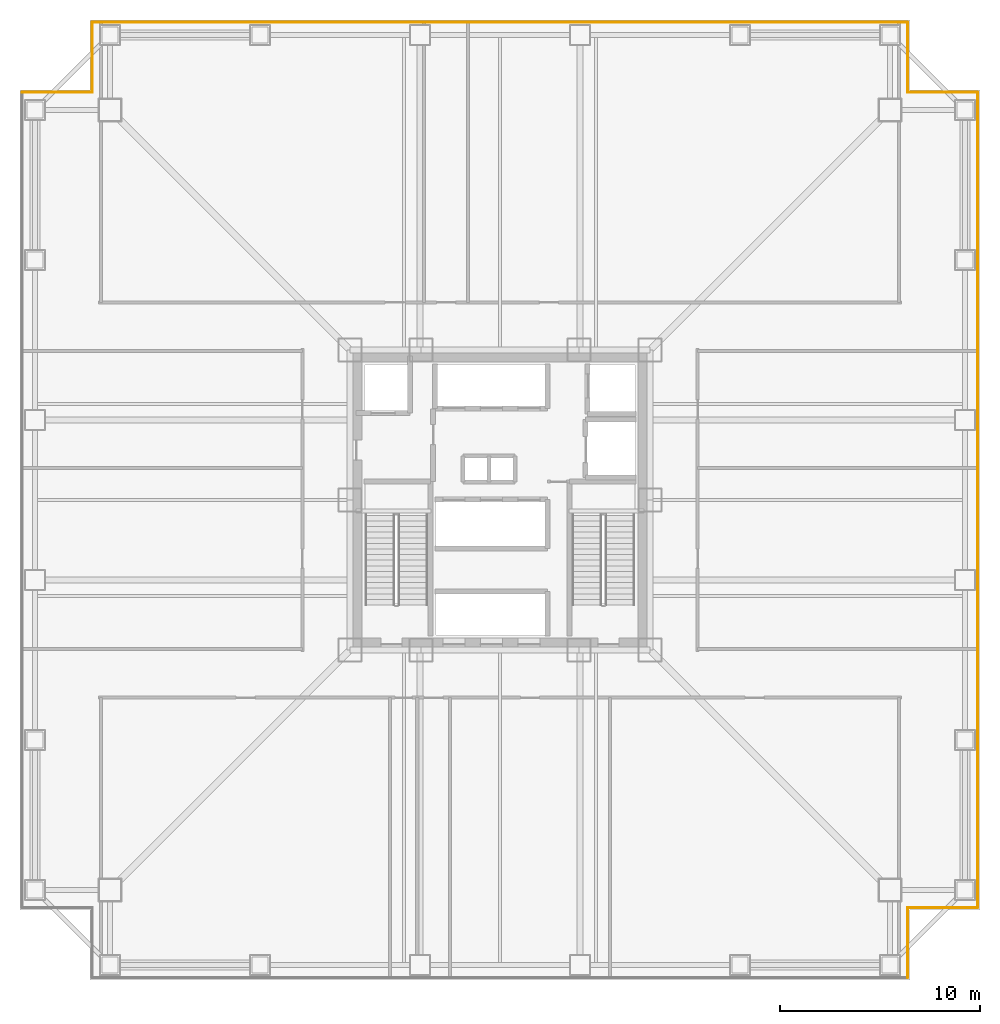
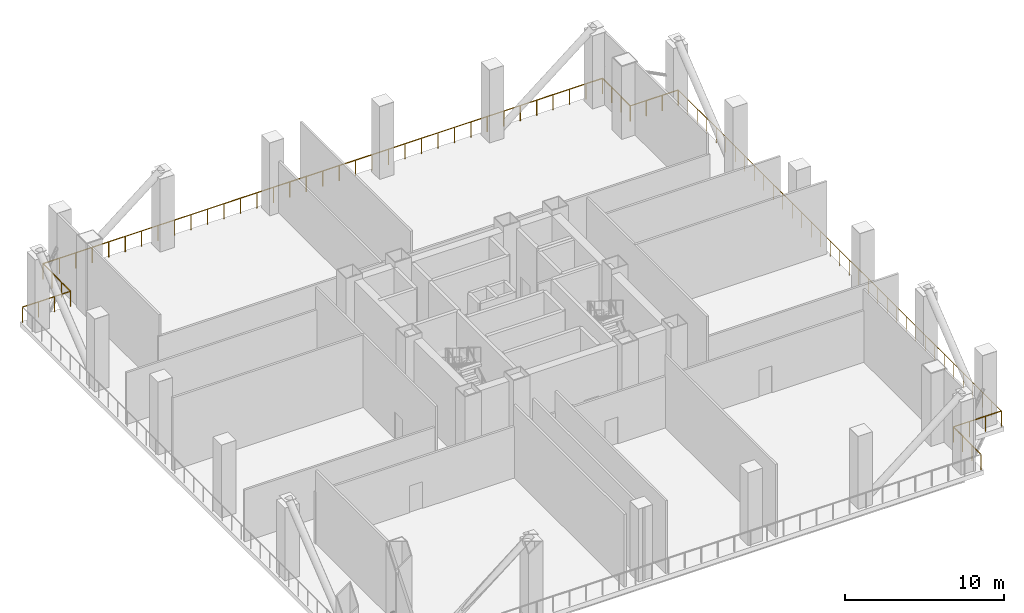
# One storey, part 7 of 7: 8 railings.
"""IFC4 building model written with IfcOpenShell, lengths in metres."""

import ifcopenshell
import ifcopenshell.guid

model = None  # the IFC model being written
_history = None  # IfcOwnerHistory: only IFC2X3 demands one
_inside = {}  # id of a spatial element -> (the spatial element, [elements in it])
_under = {}  # id of a project, library or spatial element -> (it, [spatial elements below it])
_declared = {}  # id of a project -> (the project, [libraries it declares])
_typed = {}  # id of a type object -> (the type object, [elements of that type])
_made_of = {}  # id of a material, layer set ... -> (it, [elements and type objects made of it])


def new_model(schema):
    """Start an empty IFC model of exactly this schema.

    Asked for "IFC4X3", IfcOpenShell would pick the latest addendum, in which some entities
    have other attributes; the version numbers below select the first issue.
    IFC2X3 requires an IfcOwnerHistory on every rooted entity: one is made here for all.
    """
    global model, _history
    if schema == "IFC4X3":
        model = ifcopenshell.file(schema_version=(4, 3, 0, 0))
    else:
        model = ifcopenshell.file(schema=schema)
    _inside.clear()
    _under.clear()
    _declared.clear()
    _typed.clear()
    _made_of.clear()
    _history = None
    if model.schema == "IFC2X3":
        org = make("IfcOrganization", Name="unknown")
        user = make(
            "IfcPersonAndOrganization",
            ThePerson=make("IfcPerson", FamilyName="unknown"),
            TheOrganization=org,
        )
        app = make(
            "IfcApplication",
            ApplicationDeveloper=org,
            Version="unknown",
            ApplicationFullName="unknown",
            ApplicationIdentifier="unknown",
        )
        _history = make(
            "IfcOwnerHistory",
            OwningUser=user,
            OwningApplication=app,
            ChangeAction="ADDED",
            CreationDate=0,
        )
    return model


def make(cls, **values):
    """One entity of the class cls with the attributes given. An attribute that is None is left unset."""
    return model.create_entity(
        cls, **{name: value for name, value in values.items() if value is not None}
    )


def rooted(cls, **values):
    """An entity with a GlobalId (a new one), such as an element, a storey or a relation."""
    return make(cls, GlobalId=ifcopenshell.guid.new(), OwnerHistory=_history, **values)


def si_unit(unit_type, name, prefix=None):
    """IfcSIUnit, for example si_unit("LENGTHUNIT", "METRE", prefix="MILLI")."""
    return make("IfcSIUnit", UnitType=unit_type, Prefix=prefix, Name=name)


def assignment(units):
    """IfcUnitAssignment: the units of a project."""
    return None if units is None else make("IfcUnitAssignment", Units=units)


def point(xyz):
    """IfcCartesianPoint."""
    return None if xyz is None else make("IfcCartesianPoint", Coordinates=xyz)


def direction(xyz):
    """IfcDirection."""
    return None if xyz is None else make("IfcDirection", DirectionRatios=xyz)


def frame(location, z_axis=None, x_axis=None):
    """IfcAxis2Placement3D, a coordinate frame: its origin and axes. An axis left out is left unset."""
    return make(
        "IfcAxis2Placement3D",
        Location=point(location),
        Axis=direction(z_axis),
        RefDirection=direction(x_axis),
    )


def frame_2d(location, x_axis=None):
    """IfcAxis2Placement2D, a coordinate frame in the plane: its origin and x axis."""
    return make(
        "IfcAxis2Placement2D", Location=point(location), RefDirection=direction(x_axis)
    )


def origin():
    """The frame at (0, 0, 0) with its axes left unset."""
    return frame((0.0, 0.0, 0.0))


def origin_2d():
    """The frame at (0, 0) in the plane with its x axis left unset."""
    return frame_2d((0.0, 0.0))


def place(relative_to, where):
    """IfcLocalPlacement: puts the frame where relative to a parent placement (None: the world)."""
    return make(
        "IfcLocalPlacement", PlacementRelTo=relative_to, RelativePlacement=where
    )


def context(
    kind, dimensions, precision=None, world=None, true_north=None, identifier=None
):
    """IfcGeometricRepresentationContext, for example the 3D "Model" context."""
    return make(
        "IfcGeometricRepresentationContext",
        ContextIdentifier=identifier,
        ContextType=kind,
        CoordinateSpaceDimension=dimensions,
        Precision=precision,
        WorldCoordinateSystem=world,
        TrueNorth=true_north,
    )


def subcontext(parent, identifier, kind, view, scale=None):
    """IfcGeometricRepresentationSubContext, for example "Body" below "Model"."""
    return make(
        "IfcGeometricRepresentationSubContext",
        ContextIdentifier=identifier,
        ContextType=kind,
        ParentContext=parent,
        TargetScale=scale,
        TargetView=view,
    )


def project(units=None, contexts=None):
    """IfcProject with its units and contexts."""
    return rooted(
        "IfcProject",
        Name="project",
        RepresentationContexts=contexts,
        UnitsInContext=assignment(units),
    )


def spatial(cls, under=None, at=None, **own):
    """A site, building, storey or space (cls), placed at a placement, below another one or the project."""
    s = rooted(cls, ObjectPlacement=at, **own)
    if under is not None:
        _under.setdefault(under.id(), (under, []))[1].append(s)
    return s


def profile(cls, at=None, kind="AREA", **sizes):
    """A parametric profile (cls). Its sizes go by their IFC names, for example OverallWidth=200.0."""
    return make(cls, ProfileType=kind, Position=at, **sizes)


def circle(**sizes):
    """IfcCircleProfileDef."""
    return profile("IfcCircleProfileDef", **sizes)


def extrude(swept, where, along, depth):
    """IfcExtrudedAreaSolid: the profile swept, set in the frame where, extruded along a direction by depth."""
    return make(
        "IfcExtrudedAreaSolid",
        SweptArea=swept,
        Position=where,
        ExtrudedDirection=direction(along),
        Depth=depth,
    )


def shape(context_of_items, identifier, shape_type, items):
    """IfcShapeRepresentation: the items that make up one representation, for example the "Body"."""
    return make(
        "IfcShapeRepresentation",
        ContextOfItems=context_of_items,
        RepresentationIdentifier=identifier,
        RepresentationType=shape_type,
        Items=items,
    )


def material(Name=None, Category=None):
    """IfcMaterial."""
    return make("IfcMaterial", Name=Name, Category=Category)


def made_of(thing, what):
    """Note that an element or type object is made of a material, layer set ...; save() writes the relation."""
    if what is not None:
        _made_of.setdefault(what.id(), (what, []))[1].append(thing)
    return thing


def type_object(cls, material=None, **own):
    """A type object (cls), such as IfcWallType, which elements share."""
    return made_of(rooted(cls, **own), material)


def element(
    cls,
    number,
    at=None,
    inside=None,
    cuts=None,
    type_object=None,
    material=None,
    context=None,
    identifier="Body",
    shape_type=None,
    held_by="IfcProductDefinitionShape",
    body=None,
    shapes=None,
    **own,
):
    """One element of the class cls, such as IfcWall. Its Tag is "e" and its number.

    at: its placement. inside: the storey or other place that contains it. cuts: it is an
    opening in that element (IfcRelVoidsElement). A single representation is given by context,
    identifier, shape_type and body (its items); several are given by shapes. held_by: the class
    of the entity that holds the representations. save() writes the other relations.
    """
    e = rooted(cls, Tag="e%d" % number, ObjectPlacement=at, **own)
    if body is not None:
        shapes = [shape(context, identifier, shape_type, body)]
    if shapes is not None:
        e.Representation = make(held_by, Representations=shapes)
    if inside is not None:
        _inside.setdefault(inside.id(), (inside, []))[1].append(e)
    if cuts is not None:
        rooted(
            "IfcRelVoidsElement", RelatingBuildingElement=cuts, RelatedOpeningElement=e
        )
    if type_object is not None:
        _typed.setdefault(type_object.id(), (type_object, []))[1].append(e)
    return made_of(e, material)


def aggregate(whole, parts):
    """IfcRelAggregates: a whole, such as a stair, and the parts it consists of."""
    return rooted("IfcRelAggregates", RelatingObject=whole, RelatedObjects=parts)


def save(model, path):
    """Write the relations noted so far, then the file.

    IfcRelAggregates (storeys below a building ...), IfcRelContainedInSpatialStructure (elements
    in a storey), IfcRelDefinesByType, IfcRelAssociatesMaterial and IfcRelDeclares: one each for
    every whole, place, type object, material and project.
    """
    for whole, parts in _under.values():
        aggregate(whole, parts)
    for where, things in _inside.values():
        rooted(
            "IfcRelContainedInSpatialStructure",
            RelatedElements=things,
            RelatingStructure=where,
        )
    for kind, things in _typed.values():
        rooted("IfcRelDefinesByType", RelatedObjects=things, RelatingType=kind)
    for what, things in _made_of.values():
        rooted("IfcRelAssociatesMaterial", RelatedObjects=things, RelatingMaterial=what)
    for by, libraries in _declared.values():
        rooted("IfcRelDeclares", RelatingContext=by, RelatedDefinitions=libraries)
    model.write(path)


model = new_model("IFC4")

# Units and contexts
model_context = context("Model", 3, precision=1e-05, world=origin(), true_north=direction((0.0, 1.0)))
body_context = subcontext(model_context, "Body", "Model", "MODEL_VIEW")
ifc_project = project(units=[si_unit("LENGTHUNIT", "METRE"), si_unit("AREAUNIT", "SQUARE_METRE"), si_unit("VOLUMEUNIT", "CUBIC_METRE"), si_unit("PLANEANGLEUNIT", "RADIAN"), si_unit("MASSUNIT", "GRAM", prefix="KILO")], contexts=[model_context])

# Site, building, storey
site_placement = place(None, origin())
site = spatial("IfcSite", under=ifc_project, at=site_placement, CompositionType="ELEMENT")
building_placement = place(site_placement, origin())
building = spatial("IfcBuilding", under=site, at=building_placement, Name="Trevonay Congress Spire", CompositionType="ELEMENT")
storey_placement = place(building_placement, frame((0.0, 0.0, 88.0)))
storey = spatial("IfcBuildingStorey", under=building, at=storey_placement, Name="L22", CompositionType="ELEMENT", Elevation=88.0)

# Railings
ifc_material = material(Name="Pale Anodised Aluminium EN AW-6063-T6", Category="aluminium")
railing_type = type_object("IfcRailingType", Name="RAL-WIND-GUARD-120", PredefinedType="GUARDRAIL", material=ifc_material)
railing_1_placement = place(storey_placement, frame((-23.8798828125, 20.3798828125, 0.0)))
element("IfcRailing", 1, at=railing_1_placement, inside=storey, type_object=railing_type, Name="L22 perimeter safety guard GRD-L22-WIND-4", PredefinedType="GUARDRAIL", context=body_context, shape_type="SweptSolid", body=[
    extrude(circle(Radius=0.02392578125, at=origin_2d()), frame((0.0, 0.0, 1.17578125), z_axis=(1.0, 0.0, 0.0), x_axis=(0.0, 1.0, 0.0)), (0.0, 0.0, 1.0), 3.5),
    extrude(circle(Radius=0.02099609375, at=origin_2d()), origin(), (0.0, 0.0, 1.0), 1.15185546875),
    extrude(circle(Radius=0.02099609375, at=origin_2d()), frame((1.166748046875, 0.0, 0.0)), (0.0, 0.0, 1.0), 1.15185546875),
    extrude(circle(Radius=0.02099609375, at=origin_2d()), frame((2.333251953125, 0.0, 0.0)), (0.0, 0.0, 1.0), 1.15185546875),
    extrude(circle(Radius=0.02099609375, at=origin_2d()), frame((3.5, 0.0, 0.0)), (0.0, 0.0, 1.0), 1.15185546875),
])
railing_2_placement = place(storey_placement, frame((-20.3798828125, 20.3798828125, 0.0)))
element("IfcRailing", 2, at=railing_2_placement, inside=storey, type_object=railing_type, Name="L22 perimeter safety guard GRD-L22-WIND-5", PredefinedType="GUARDRAIL", context=body_context, shape_type="SweptSolid", body=[
    extrude(circle(Radius=0.02392578125, at=origin_2d()), frame((0.0, 0.0, 1.17578125), z_axis=(0.0, 1.0, 0.0), x_axis=(-1.0, 0.0, 0.0)), (0.0, 0.0, 1.0), 3.5),
    extrude(circle(Radius=0.02099609375, at=origin_2d()), origin(), (0.0, 0.0, 1.0), 1.15185546875),
    extrude(circle(Radius=0.02099609375, at=origin_2d()), frame((0.0, 1.166748046875, 0.0)), (0.0, 0.0, 1.0), 1.15185546875),
    extrude(circle(Radius=0.02099609375, at=origin_2d()), frame((0.0, 2.333251953125, 0.0)), (0.0, 0.0, 1.0), 1.15185546875),
    extrude(circle(Radius=0.02099609375, at=origin_2d()), frame((0.0, 3.5, 0.0)), (0.0, 0.0, 1.0), 1.15185546875),
])
railing_3_placement = place(storey_placement, frame((-20.3798828125, 23.8798828125, 0.0)))
element("IfcRailing", 3, at=railing_3_placement, inside=storey, type_object=railing_type, Name="L22 perimeter safety guard GRD-L22-WIND-6", PredefinedType="GUARDRAIL", context=body_context, shape_type="SweptSolid", body=[
    extrude(circle(Radius=0.02392578125, at=origin_2d()), frame((0.0, 0.0, 1.17578125), z_axis=(1.0, 0.0, 0.0), x_axis=(0.0, 1.0, 0.0)), (0.0, 0.0, 1.0), 40.759765625),
    extrude(circle(Radius=0.02099609375, at=origin_2d()), origin(), (0.0, 0.0, 1.0), 1.15185546875),
    extrude(circle(Radius=0.02099609375, at=origin_2d()), frame((1.19873046875, 0.0, 0.0)), (0.0, 0.0, 1.0), 1.15185546875),
    extrude(circle(Radius=0.02099609375, at=origin_2d()), frame((2.397705078125, 0.0, 0.0)), (0.0, 0.0, 1.0), 1.15185546875),
    extrude(circle(Radius=0.02099609375, at=origin_2d()), frame((3.596435546875, 0.0, 0.0)), (0.0, 0.0, 1.0), 1.15185546875),
    extrude(circle(Radius=0.02099609375, at=origin_2d()), frame((4.795166015625, 0.0, 0.0)), (0.0, 0.0, 1.0), 1.15185546875),
    extrude(circle(Radius=0.02099609375, at=origin_2d()), frame((5.994140625, 0.0, 0.0)), (0.0, 0.0, 1.0), 1.15185546875),
    extrude(circle(Radius=0.02099609375, at=origin_2d()), frame((7.19287109375, 0.0, 0.0)), (0.0, 0.0, 1.0), 1.15185546875),
    extrude(circle(Radius=0.02099609375, at=origin_2d()), frame((8.3916015625, 0.0, 0.0)), (0.0, 0.0, 1.0), 1.15185546875),
    extrude(circle(Radius=0.02099609375, at=origin_2d()), frame((9.590576171875, 0.0, 0.0)), (0.0, 0.0, 1.0), 1.15185546875),
    extrude(circle(Radius=0.02099609375, at=origin_2d()), frame((10.789306640625, 0.0, 0.0)), (0.0, 0.0, 1.0), 1.15185546875),
    extrude(circle(Radius=0.02099609375, at=origin_2d()), frame((11.98828125, 0.0, 0.0)), (0.0, 0.0, 1.0), 1.15185546875),
    extrude(circle(Radius=0.02099609375, at=origin_2d()), frame((13.18701171875, 0.0, 0.0)), (0.0, 0.0, 1.0), 1.15185546875),
    extrude(circle(Radius=0.02099609375, at=origin_2d()), frame((14.3857421875, 0.0, 0.0)), (0.0, 0.0, 1.0), 1.15185546875),
    extrude(circle(Radius=0.02099609375, at=origin_2d()), frame((15.584716796875, 0.0, 0.0)), (0.0, 0.0, 1.0), 1.15185546875),
    extrude(circle(Radius=0.02099609375, at=origin_2d()), frame((16.783447265625, 0.0, 0.0)), (0.0, 0.0, 1.0), 1.15185546875),
    extrude(circle(Radius=0.02099609375, at=origin_2d()), frame((17.982177734375, 0.0, 0.0)), (0.0, 0.0, 1.0), 1.15185546875),
    extrude(circle(Radius=0.02099609375, at=origin_2d()), frame((19.18115234375, 0.0, 0.0)), (0.0, 0.0, 1.0), 1.15185546875),
    extrude(circle(Radius=0.02099609375, at=origin_2d()), frame((20.3798828125, 0.0, 0.0)), (0.0, 0.0, 1.0), 1.15185546875),
    extrude(circle(Radius=0.02099609375, at=origin_2d()), frame((21.57861328125, 0.0, 0.0)), (0.0, 0.0, 1.0), 1.15185546875),
    extrude(circle(Radius=0.02099609375, at=origin_2d()), frame((22.777587890625, 0.0, 0.0)), (0.0, 0.0, 1.0), 1.15185546875),
    extrude(circle(Radius=0.02099609375, at=origin_2d()), frame((23.976318359375, 0.0, 0.0)), (0.0, 0.0, 1.0), 1.15185546875),
    extrude(circle(Radius=0.02099609375, at=origin_2d()), frame((25.175048828125, 0.0, 0.0)), (0.0, 0.0, 1.0), 1.15185546875),
    extrude(circle(Radius=0.02099609375, at=origin_2d()), frame((26.3740234375, 0.0, 0.0)), (0.0, 0.0, 1.0), 1.15185546875),
    extrude(circle(Radius=0.02099609375, at=origin_2d()), frame((27.57275390625, 0.0, 0.0)), (0.0, 0.0, 1.0), 1.15185546875),
    extrude(circle(Radius=0.02099609375, at=origin_2d()), frame((28.771484375, 0.0, 0.0)), (0.0, 0.0, 1.0), 1.15185546875),
    extrude(circle(Radius=0.02099609375, at=origin_2d()), frame((29.970458984375, 0.0, 0.0)), (0.0, 0.0, 1.0), 1.15185546875),
    extrude(circle(Radius=0.02099609375, at=origin_2d()), frame((31.169189453125, 0.0, 0.0)), (0.0, 0.0, 1.0), 1.15185546875),
    extrude(circle(Radius=0.02099609375, at=origin_2d()), frame((32.3681640625, 0.0, 0.0)), (0.0, 0.0, 1.0), 1.15185546875),
    extrude(circle(Radius=0.02099609375, at=origin_2d()), frame((33.56689453125, 0.0, 0.0)), (0.0, 0.0, 1.0), 1.15185546875),
    extrude(circle(Radius=0.02099609375, at=origin_2d()), frame((34.765625, 0.0, 0.0)), (0.0, 0.0, 1.0), 1.15185546875),
    extrude(circle(Radius=0.02099609375, at=origin_2d()), frame((35.964599609375, 0.0, 0.0)), (0.0, 0.0, 1.0), 1.15185546875),
    extrude(circle(Radius=0.02099609375, at=origin_2d()), frame((37.163330078125, 0.0, 0.0)), (0.0, 0.0, 1.0), 1.15185546875),
    extrude(circle(Radius=0.02099609375, at=origin_2d()), frame((38.362060546875, 0.0, 0.0)), (0.0, 0.0, 1.0), 1.15185546875),
    extrude(circle(Radius=0.02099609375, at=origin_2d()), frame((39.56103515625, 0.0, 0.0)), (0.0, 0.0, 1.0), 1.15185546875),
    extrude(circle(Radius=0.02099609375, at=origin_2d()), frame((40.759765625, 0.0, 0.0)), (0.0, 0.0, 1.0), 1.15185546875),
])
railing_4_placement = place(storey_placement, frame((20.3798828125, 23.8798828125, 0.0)))
element("IfcRailing", 4, at=railing_4_placement, inside=storey, type_object=railing_type, Name="L22 perimeter safety guard GRD-L22-WIND-7", PredefinedType="GUARDRAIL", context=body_context, shape_type="SweptSolid", body=[
    extrude(circle(Radius=0.02392578125, at=origin_2d()), frame((0.0, 0.0, 1.17578125), z_axis=(0.0, -1.0, 0.0), x_axis=(1.0, 0.0, 0.0)), (0.0, 0.0, 1.0), 3.5),
    extrude(circle(Radius=0.02099609375, at=origin_2d()), origin(), (0.0, 0.0, 1.0), 1.15185546875),
    extrude(circle(Radius=0.02099609375, at=origin_2d()), frame((0.0, -1.166748046875, 0.0)), (0.0, 0.0, 1.0), 1.15185546875),
    extrude(circle(Radius=0.02099609375, at=origin_2d()), frame((0.0, -2.333251953125, 0.0)), (0.0, 0.0, 1.0), 1.15185546875),
    extrude(circle(Radius=0.02099609375, at=origin_2d()), frame((0.0, -3.5, 0.0)), (0.0, 0.0, 1.0), 1.15185546875),
])
railing_5_placement = place(storey_placement, frame((20.3798828125, 20.3798828125, 0.0)))
element("IfcRailing", 5, at=railing_5_placement, inside=storey, type_object=railing_type, Name="L22 perimeter safety guard GRD-L22-WIND-8", PredefinedType="GUARDRAIL", context=body_context, shape_type="SweptSolid", body=[
    extrude(circle(Radius=0.02392578125, at=origin_2d()), frame((0.0, 0.0, 1.17578125), z_axis=(1.0, 0.0, 0.0), x_axis=(0.0, 1.0, 0.0)), (0.0, 0.0, 1.0), 3.5),
    extrude(circle(Radius=0.02099609375, at=origin_2d()), origin(), (0.0, 0.0, 1.0), 1.15185546875),
    extrude(circle(Radius=0.02099609375, at=origin_2d()), frame((1.166748046875, 0.0, 0.0)), (0.0, 0.0, 1.0), 1.15185546875),
    extrude(circle(Radius=0.02099609375, at=origin_2d()), frame((2.333251953125, 0.0, 0.0)), (0.0, 0.0, 1.0), 1.15185546875),
    extrude(circle(Radius=0.02099609375, at=origin_2d()), frame((3.5, 0.0, 0.0)), (0.0, 0.0, 1.0), 1.15185546875),
])
railing_6_placement = place(storey_placement, frame((23.8798828125, 20.3798828125, 0.0)))
element("IfcRailing", 6, at=railing_6_placement, inside=storey, type_object=railing_type, Name="L22 perimeter safety guard GRD-L22-WIND-9", PredefinedType="GUARDRAIL", context=body_context, shape_type="SweptSolid", body=[
    extrude(circle(Radius=0.02392578125, at=origin_2d()), frame((0.0, 0.0, 1.17578125), z_axis=(0.0, -1.0, 0.0), x_axis=(1.0, 0.0, 0.0)), (0.0, 0.0, 1.0), 40.759765625),
    extrude(circle(Radius=0.02099609375, at=origin_2d()), origin(), (0.0, 0.0, 1.0), 1.15185546875),
    extrude(circle(Radius=0.02099609375, at=origin_2d()), frame((0.0, -1.19873046875, 0.0)), (0.0, 0.0, 1.0), 1.15185546875),
    extrude(circle(Radius=0.02099609375, at=origin_2d()), frame((0.0, -2.397705078125, 0.0)), (0.0, 0.0, 1.0), 1.15185546875),
    extrude(circle(Radius=0.02099609375, at=origin_2d()), frame((0.0, -3.596435546875, 0.0)), (0.0, 0.0, 1.0), 1.15185546875),
    extrude(circle(Radius=0.02099609375, at=origin_2d()), frame((0.0, -4.795166015625, 0.0)), (0.0, 0.0, 1.0), 1.15185546875),
    extrude(circle(Radius=0.02099609375, at=origin_2d()), frame((0.0, -5.994140625, 0.0)), (0.0, 0.0, 1.0), 1.15185546875),
    extrude(circle(Radius=0.02099609375, at=origin_2d()), frame((0.0, -7.19287109375, 0.0)), (0.0, 0.0, 1.0), 1.15185546875),
    extrude(circle(Radius=0.02099609375, at=origin_2d()), frame((0.0, -8.3916015625, 0.0)), (0.0, 0.0, 1.0), 1.15185546875),
    extrude(circle(Radius=0.02099609375, at=origin_2d()), frame((0.0, -9.590576171875, 0.0)), (0.0, 0.0, 1.0), 1.15185546875),
    extrude(circle(Radius=0.02099609375, at=origin_2d()), frame((0.0, -10.789306640625, 0.0)), (0.0, 0.0, 1.0), 1.15185546875),
    extrude(circle(Radius=0.02099609375, at=origin_2d()), frame((0.0, -11.98828125, 0.0)), (0.0, 0.0, 1.0), 1.15185546875),
    extrude(circle(Radius=0.02099609375, at=origin_2d()), frame((0.0, -13.18701171875, 0.0)), (0.0, 0.0, 1.0), 1.15185546875),
    extrude(circle(Radius=0.02099609375, at=origin_2d()), frame((0.0, -14.3857421875, 0.0)), (0.0, 0.0, 1.0), 1.15185546875),
    extrude(circle(Radius=0.02099609375, at=origin_2d()), frame((0.0, -15.584716796875, 0.0)), (0.0, 0.0, 1.0), 1.15185546875),
    extrude(circle(Radius=0.02099609375, at=origin_2d()), frame((0.0, -16.783447265625, 0.0)), (0.0, 0.0, 1.0), 1.15185546875),
    extrude(circle(Radius=0.02099609375, at=origin_2d()), frame((0.0, -17.982177734375, 0.0)), (0.0, 0.0, 1.0), 1.15185546875),
    extrude(circle(Radius=0.02099609375, at=origin_2d()), frame((0.0, -19.18115234375, 0.0)), (0.0, 0.0, 1.0), 1.15185546875),
    extrude(circle(Radius=0.02099609375, at=origin_2d()), frame((0.0, -20.3798828125, 0.0)), (0.0, 0.0, 1.0), 1.15185546875),
    extrude(circle(Radius=0.02099609375, at=origin_2d()), frame((0.0, -21.57861328125, 0.0)), (0.0, 0.0, 1.0), 1.15185546875),
    extrude(circle(Radius=0.02099609375, at=origin_2d()), frame((0.0, -22.777587890625, 0.0)), (0.0, 0.0, 1.0), 1.15185546875),
    extrude(circle(Radius=0.02099609375, at=origin_2d()), frame((0.0, -23.976318359375, 0.0)), (0.0, 0.0, 1.0), 1.15185546875),
    extrude(circle(Radius=0.02099609375, at=origin_2d()), frame((0.0, -25.175048828125, 0.0)), (0.0, 0.0, 1.0), 1.15185546875),
    extrude(circle(Radius=0.02099609375, at=origin_2d()), frame((0.0, -26.3740234375, 0.0)), (0.0, 0.0, 1.0), 1.15185546875),
    extrude(circle(Radius=0.02099609375, at=origin_2d()), frame((0.0, -27.57275390625, 0.0)), (0.0, 0.0, 1.0), 1.15185546875),
    extrude(circle(Radius=0.02099609375, at=origin_2d()), frame((0.0, -28.771484375, 0.0)), (0.0, 0.0, 1.0), 1.15185546875),
    extrude(circle(Radius=0.02099609375, at=origin_2d()), frame((0.0, -29.970458984375, 0.0)), (0.0, 0.0, 1.0), 1.15185546875),
    extrude(circle(Radius=0.02099609375, at=origin_2d()), frame((0.0, -31.169189453125, 0.0)), (0.0, 0.0, 1.0), 1.15185546875),
    extrude(circle(Radius=0.02099609375, at=origin_2d()), frame((0.0, -32.3681640625, 0.0)), (0.0, 0.0, 1.0), 1.15185546875),
    extrude(circle(Radius=0.02099609375, at=origin_2d()), frame((0.0, -33.56689453125, 0.0)), (0.0, 0.0, 1.0), 1.15185546875),
    extrude(circle(Radius=0.02099609375, at=origin_2d()), frame((0.0, -34.765625, 0.0)), (0.0, 0.0, 1.0), 1.15185546875),
    extrude(circle(Radius=0.02099609375, at=origin_2d()), frame((0.0, -35.964599609375, 0.0)), (0.0, 0.0, 1.0), 1.15185546875),
    extrude(circle(Radius=0.02099609375, at=origin_2d()), frame((0.0, -37.163330078125, 0.0)), (0.0, 0.0, 1.0), 1.15185546875),
    extrude(circle(Radius=0.02099609375, at=origin_2d()), frame((0.0, -38.362060546875, 0.0)), (0.0, 0.0, 1.0), 1.15185546875),
    extrude(circle(Radius=0.02099609375, at=origin_2d()), frame((0.0, -39.56103515625, 0.0)), (0.0, 0.0, 1.0), 1.15185546875),
    extrude(circle(Radius=0.02099609375, at=origin_2d()), frame((0.0, -40.759765625, 0.0)), (0.0, 0.0, 1.0), 1.15185546875),
])
railing_7_placement = place(storey_placement, frame((23.8798828125, -20.3798828125, 0.0)))
element("IfcRailing", 7, at=railing_7_placement, inside=storey, type_object=railing_type, Name="L22 perimeter safety guard GRD-L22-WIND-10", PredefinedType="GUARDRAIL", context=body_context, shape_type="SweptSolid", body=[
    extrude(circle(Radius=0.02392578125, at=origin_2d()), frame((0.0, 0.0, 1.17578125), z_axis=(-1.0, 0.0, 0.0), x_axis=(0.0, -1.0, 0.0)), (0.0, 0.0, 1.0), 3.5),
    extrude(circle(Radius=0.02099609375, at=origin_2d()), origin(), (0.0, 0.0, 1.0), 1.15185546875),
    extrude(circle(Radius=0.02099609375, at=origin_2d()), frame((-1.166748046875, 0.0, 0.0)), (0.0, 0.0, 1.0), 1.15185546875),
    extrude(circle(Radius=0.02099609375, at=origin_2d()), frame((-2.333251953125, 0.0, 0.0)), (0.0, 0.0, 1.0), 1.15185546875),
    extrude(circle(Radius=0.02099609375, at=origin_2d()), frame((-3.5, 0.0, 0.0)), (0.0, 0.0, 1.0), 1.15185546875),
])
railing_8_placement = place(storey_placement, frame((20.3798828125, -20.3798828125, 0.0)))
element("IfcRailing", 8, at=railing_8_placement, inside=storey, type_object=railing_type, Name="L22 perimeter safety guard GRD-L22-WIND-11", PredefinedType="GUARDRAIL", context=body_context, shape_type="SweptSolid", body=[
    extrude(circle(Radius=0.02392578125, at=origin_2d()), frame((0.0, 0.0, 1.17578125), z_axis=(0.0, -1.0, 0.0), x_axis=(1.0, 0.0, 0.0)), (0.0, 0.0, 1.0), 3.5),
    extrude(circle(Radius=0.02099609375, at=origin_2d()), origin(), (0.0, 0.0, 1.0), 1.15185546875),
    extrude(circle(Radius=0.02099609375, at=origin_2d()), frame((0.0, -1.166748046875, 0.0)), (0.0, 0.0, 1.0), 1.15185546875),
    extrude(circle(Radius=0.02099609375, at=origin_2d()), frame((0.0, -2.333251953125, 0.0)), (0.0, 0.0, 1.0), 1.15185546875),
    extrude(circle(Radius=0.02099609375, at=origin_2d()), frame((0.0, -3.5, 0.0)), (0.0, 0.0, 1.0), 1.15185546875),
])

save(model, "model.ifc")
